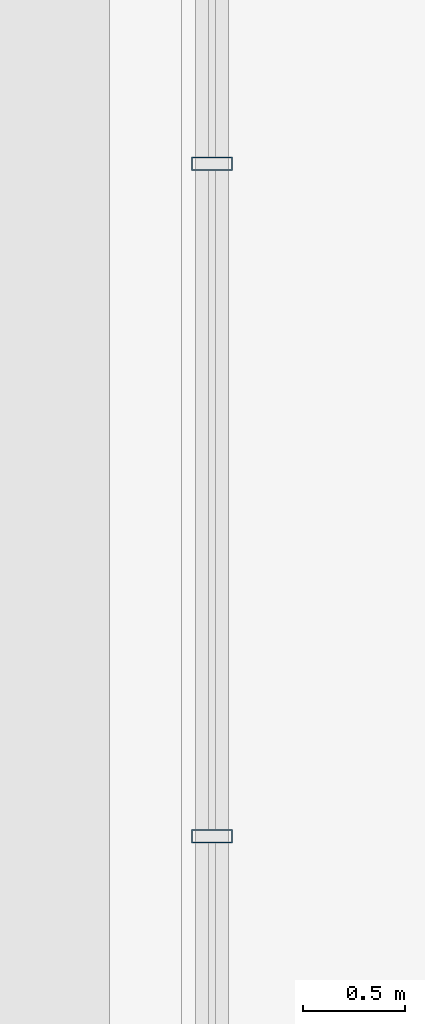
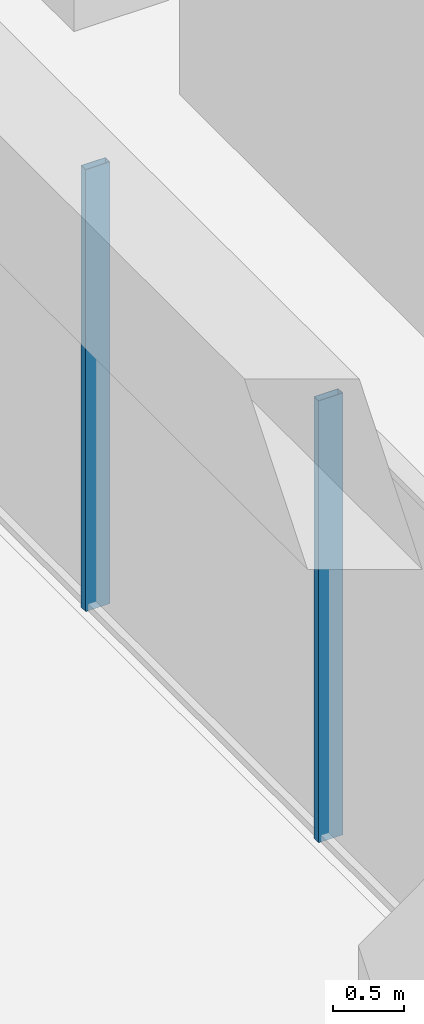
# One storey, part 6 of 27: 2 members, 1 element without a shape of its own.
"""IFC4 building model written with IfcOpenShell, lengths in metres."""

from ifc_helpers import new_model, si_unit, direction, frame, origin, origin_2d, place, context, subcontext, project, spatial, hollow_rectangle, extrude, source, transform, mapped, material, layer, layer_set, material_profile, profile_set, type_object, element, aggregate, save


model = new_model("IFC4")

# Units and contexts
model_context = context("Model", 3, precision=1e-05, world=origin(), true_north=direction((0.0, 1.0)))
body_context = subcontext(model_context, "Body", "Model", "MODEL_VIEW")
ifc_project = project(units=[si_unit("LENGTHUNIT", "METRE"), si_unit("AREAUNIT", "SQUARE_METRE"), si_unit("VOLUMEUNIT", "CUBIC_METRE"), si_unit("PLANEANGLEUNIT", "RADIAN"), si_unit("MASSUNIT", "GRAM", prefix="KILO")], contexts=[model_context])

# Site, building, storey
site_placement = place(None, origin())
site = spatial("IfcSite", under=ifc_project, at=site_placement, CompositionType="ELEMENT")
building_placement = place(site_placement, origin())
building = spatial("IfcBuilding", under=site, at=building_placement, Name="Veraguas Prism Commons", CompositionType="ELEMENT")
storey_placement = place(building_placement, origin())
storey = spatial("IfcBuildingStorey", under=building, at=storey_placement, Name="L00", CompositionType="ELEMENT", Elevation=0.0)

# Curtain wall, members
ifc_material = material(Name="Anodised aluminium EN AW-6063 T6", Category="aluminium")
ifc_layer = layer(ifc_material, 0.199951171875, Name="Metro Concourse Structural Glazing", Category="aluminium")
ifc_layer_set = layer_set([ifc_layer], Name="Anodised aluminium EN AW-6063 T6")
curtain_wall_type = type_object("IfcCurtainWallType", Name="Metro Concourse Structural Glazing", PredefinedType="NOTDEFINED", material=ifc_layer_set)
curtain_wall_placement = place(storey_placement, origin())
curtain_wall = element("IfcCurtainWall", 1, at=curtain_wall_placement, inside=storey, type_object=curtain_wall_type, Name="Via Espana Metro Concourse Curtain Wall L00-W02", PredefinedType="NOTDEFINED")
ifc_material_profile = material_profile(ifc_material, hollow_rectangle(XDim=0.06494140625, YDim=0.199951171875, WallThickness=0.00390625, at=origin_2d()), Name="AL65X200X4")
ifc_profile_set = profile_set([ifc_material_profile], Name="Anodised aluminium EN AW-6063 T6")
member_type = type_object("IfcMemberType", Name="Curtain Wall Mullion Heavy AL 65x200x4", PredefinedType="MULLION", material=ifc_profile_set)
shared_shape = source(origin(), body_context, "Body", "SweptSolid", [
    extrude(hollow_rectangle(XDim=0.06494140625, YDim=0.199951171875, WallThickness=0.00390625, at=origin_2d()), origin(), (0.0, 0.0, 1.0), 3.800048828125),
])
member_1_placement = place(storey_placement, frame((2.14990234375, 22.360107421875, 0.0), z_axis=(0.0, 0.0, 1.0), x_axis=(0.0, -1.0, 0.0)))
member_1 = element("IfcMember", 2, at=member_1_placement, type_object=member_type, Name="CW-STN Mullion 4", PredefinedType="MULLION", context=body_context, shape_type="MappedRepresentation", body=[
    mapped(shared_shape, transform((0.0, 0.0, 0.0), scale=1.0)),
])
member_2_placement = place(storey_placement, frame((2.14990234375, 19.080078125, 0.0), z_axis=(0.0, 0.0, 1.0), x_axis=(0.0, -1.0, 0.0)))
member_2 = element("IfcMember", 3, at=member_2_placement, type_object=member_type, Name="CW-STN Mullion 5", PredefinedType="MULLION", context=body_context, shape_type="MappedRepresentation", body=[
    mapped(shared_shape, transform((0.0, 0.0, 0.0), scale=1.0)),
])
aggregate(curtain_wall, [member_1, member_2])

save(model, "model.ifc")
